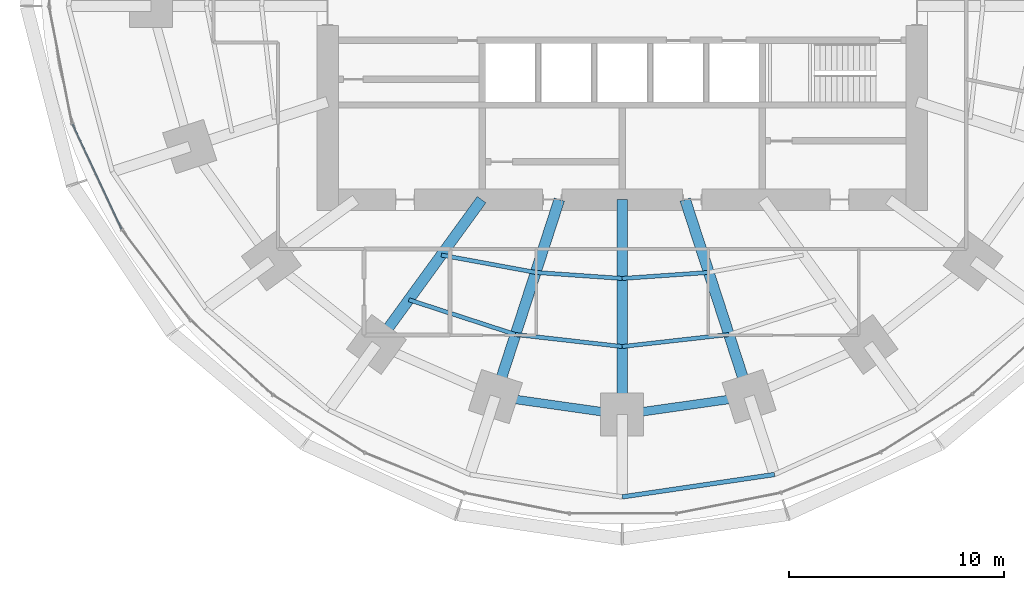
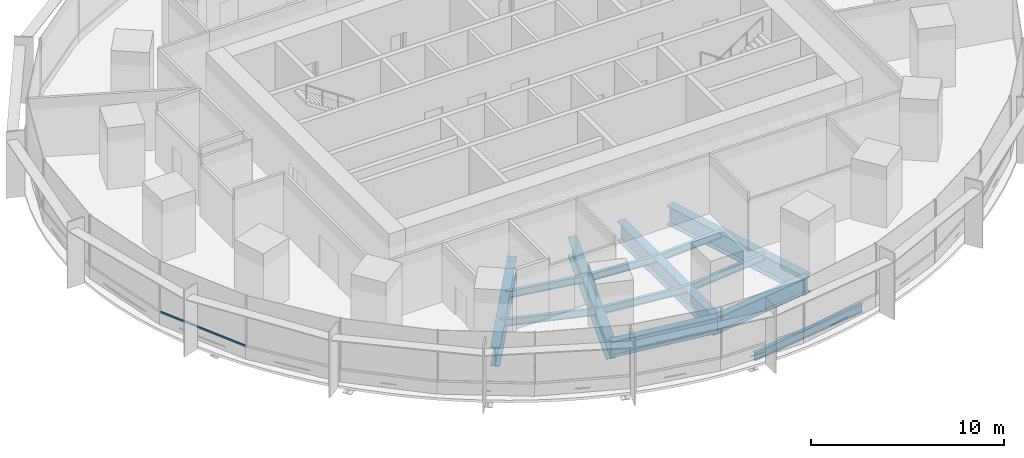
# One storey, part 3 of 15: 13 beams, 1 member, 1 element without a shape of its own.
"""IFC4 building model written with IfcOpenShell, lengths in metres."""

from ifc_helpers import new_model, si_unit, direction, frame, origin, origin_2d, place, context, subcontext, project, spatial, rectangle, i_section, extrude, material, material_profile, profile_set, type_object, element, aggregate, save


model = new_model("IFC4")

# Units and contexts
model_context = context("Model", 3, precision=1e-05, world=origin(), true_north=direction((0.0, 1.0)))
body_context = subcontext(model_context, "Body", "Model", "MODEL_VIEW")
ifc_project = project(units=[si_unit("LENGTHUNIT", "METRE"), si_unit("AREAUNIT", "SQUARE_METRE"), si_unit("VOLUMEUNIT", "CUBIC_METRE"), si_unit("PLANEANGLEUNIT", "RADIAN"), si_unit("MASSUNIT", "GRAM", prefix="KILO")], contexts=[model_context])

# Site, building, storey
site_placement = place(None, origin())
site = spatial("IfcSite", under=ifc_project, at=site_placement, CompositionType="ELEMENT")
building_placement = place(site_placement, origin())
building = spatial("IfcBuilding", under=site, at=building_placement, Name="Marramba Exchange Tower", CompositionType="ELEMENT")
storey_placement = place(building_placement, frame((0.0, 0.0, 32.199951171875)))
storey = spatial("IfcBuildingStorey", under=building, at=storey_placement, Name="L07", CompositionType="ELEMENT", Elevation=32.199951171875)

# Beams
ifc_material_1 = material(Name="Steel AS/NZS 3679.1 grade 300", Category="steel")
ifc_material_profile_1 = material_profile(ifc_material_1, i_section(OverallWidth=0.18994140625, OverallDepth=0.4541015625, WebThickness=0.008544921875, FlangeThickness=0.0126953125, FilletRadius=0.011474609375, at=origin_2d()), Name="460UB67.1")
ifc_profile_set_1 = profile_set([ifc_material_profile_1], Name="Steel AS/NZS 3679.1 grade 300")
beam_type_1 = type_object("IfcBeamType", Name="Floor joist 460UB67.1", PredefinedType="JOIST", material=ifc_profile_set_1)
beam_1_placement = place(storey_placement, frame((-8.41162109375, -11.57763671875, -0.386962890625), z_axis=(0.983455754421, -0.181148500119, 0.0), x_axis=(0.181148500119, 0.983455754421, 0.0)))
element("IfcBeam", 1, at=beam_1_placement, inside=storey, type_object=beam_type_1, Name="Joist L07 bay 14 row 1", PredefinedType="JOIST", context=body_context, shape_type="SweptSolid", body=[
    extrude(i_section(OverallWidth=0.18994140625, OverallDepth=0.4541015625, WebThickness=0.008544921875, FlangeThickness=0.0126953125, FilletRadius=0.011474609375, at=origin_2d()), origin(), (0.0, 0.0, 1.0), 4.4609375),
])
beam_2_placement = place(storey_placement, frame((-9.9208984375, -13.655029296875, -0.386962890625), z_axis=(0.950764024931, -0.309915744834, 0.0), x_axis=(0.309915744834, 0.950764024931, 0.0)))
element("IfcBeam", 2, at=beam_2_placement, inside=storey, type_object=beam_type_1, Name="Joist L07 bay 14 row 2", PredefinedType="JOIST", context=body_context, shape_type="SweptSolid", body=[
    extrude(i_section(OverallWidth=0.18994140625, OverallDepth=0.4541015625, WebThickness=0.008544921875, FlangeThickness=0.0126953125, FilletRadius=0.011474609375, at=origin_2d()), origin(), (0.0, 0.0, 1.0), 5.2158203125),
])
beam_3_placement = place(storey_placement, frame((-4.0244140625, -12.3857421875, -0.386962890625), z_axis=(0.99759625901, -0.069294328838, 0.0), x_axis=(0.069294328838, 0.99759625901, 0.0)))
element("IfcBeam", 3, at=beam_3_placement, inside=storey, type_object=beam_type_1, Name="Joist L07 bay 15 row 1", PredefinedType="JOIST", context=body_context, shape_type="SweptSolid", body=[
    extrude(i_section(OverallWidth=0.18994140625, OverallDepth=0.4541015625, WebThickness=0.008544921875, FlangeThickness=0.0126953125, FilletRadius=0.011474609375, at=origin_2d()), origin(), (0.0, 0.0, 1.0), 4.0341796875),
])
beam_4_placement = place(storey_placement, frame((-4.9619140625, -15.271484375, -0.386962890625), z_axis=(0.993712018573, -0.111966174106, 0.0), x_axis=(0.111966174106, 0.993712018573, 0.0)))
element("IfcBeam", 4, at=beam_4_placement, inside=storey, type_object=beam_type_1, Name="Joist L07 bay 15 row 2", PredefinedType="JOIST", context=body_context, shape_type="SweptSolid", body=[
    extrude(i_section(OverallWidth=0.18994140625, OverallDepth=0.4541015625, WebThickness=0.008544921875, FlangeThickness=0.0126953125, FilletRadius=0.011474609375, at=origin_2d()), origin(), (0.0, 0.0, 1.0), 4.993408203125),
])
beam_5_placement = place(storey_placement, frame((0.0, -12.665283203125, -0.386962890625), z_axis=(0.99759625901, 0.069294328838, 0.0), x_axis=(-0.069294328838, 0.99759625901, 0.0)))
element("IfcBeam", 5, at=beam_5_placement, inside=storey, type_object=beam_type_1, Name="Joist L07 bay 16 row 1", PredefinedType="JOIST", context=body_context, shape_type="SweptSolid", body=[
    extrude(i_section(OverallWidth=0.18994140625, OverallDepth=0.4541015625, WebThickness=0.008544921875, FlangeThickness=0.0126953125, FilletRadius=0.011474609375, at=origin_2d()), origin(), (0.0, 0.0, 1.0), 4.0341796875),
])
beam_6_placement = place(storey_placement, frame((0.0, -15.83056640625, -0.386962890625), z_axis=(0.993712018573, 0.111966174106, 0.0), x_axis=(-0.111966174106, 0.993712018573, 0.0)))
element("IfcBeam", 6, at=beam_6_placement, inside=storey, type_object=beam_type_1, Name="Joist L07 bay 16 row 2", PredefinedType="JOIST", context=body_context, shape_type="SweptSolid", body=[
    extrude(i_section(OverallWidth=0.18994140625, OverallDepth=0.4541015625, WebThickness=0.008544921875, FlangeThickness=0.0126953125, FilletRadius=0.011474609375, at=origin_2d()), origin(), (0.0, 0.0, 1.0), 4.993408203125),
])
ifc_material_2 = material(Name="Steel AS/NZS 3679.2 grade 300", Category="steel")
ifc_material_profile_2 = material_profile(ifc_material_2, i_section(OverallWidth=0.5, OverallDepth=1.199951171875, WebThickness=0.01611328125, FlangeThickness=0.0400390625, at=origin_2d()), Name="1200WB455")
ifc_profile_set_2 = profile_set([ifc_material_profile_2], Name="Steel AS/NZS 3679.2 grade 300")
beam_type_2 = type_object("IfcBeamType", Name="Radial girder 1200WB455", PredefinedType="BEAM", material=ifc_profile_set_2)
beam_7_placement = place(storey_placement, frame((-6.538818359375, -9.0, -0.760009765625), z_axis=(-0.587787877172, -0.809015087282, 0.0), x_axis=(0.809015087282, -0.587787877172, 0.0)))
element("IfcBeam", 7, at=beam_7_placement, inside=storey, type_object=beam_type_2, Name="Radial girder L07 TC14", PredefinedType="BEAM", context=body_context, shape_type="SweptSolid", body=[
    extrude(i_section(OverallWidth=0.5, OverallDepth=1.199951171875, WebThickness=0.01611328125, FlangeThickness=0.0400390625, at=origin_2d()), origin(), (0.0, 0.0, 1.0), 8.322021484375),
])
beam_8_placement = place(storey_placement, frame((-2.92431640625, -9.0, -0.760009765625), z_axis=(-0.309022428985, -0.951054750466, 0.0), x_axis=(0.951054750466, -0.309022428985, 0.0)))
element("IfcBeam", 8, at=beam_8_placement, inside=storey, type_object=beam_type_2, Name="Radial girder L07 TC15", PredefinedType="BEAM", context=body_context, shape_type="SweptSolid", body=[
    extrude(i_section(OverallWidth=0.5, OverallDepth=1.199951171875, WebThickness=0.01611328125, FlangeThickness=0.0400390625, at=origin_2d()), origin(), (0.0, 0.0, 1.0), 9.628173828125),
])
beam_9_placement = place(storey_placement, frame((0.0, -9.0, -0.760009765625), z_axis=(0.0, -1.0, 0.0), x_axis=(1.0, 0.0, 0.0)))
element("IfcBeam", 9, at=beam_9_placement, inside=storey, type_object=beam_type_2, Name="Radial girder L07 TC16", PredefinedType="BEAM", context=body_context, shape_type="SweptSolid", body=[
    extrude(i_section(OverallWidth=0.5, OverallDepth=1.199951171875, WebThickness=0.01611328125, FlangeThickness=0.0400390625, at=origin_2d()), origin(), (0.0, 0.0, 1.0), 9.99609375),
])
beam_10_placement = place(storey_placement, frame((2.92431640625, -9.0, -0.760009765625), z_axis=(0.309022428985, -0.951054750466, 0.0), x_axis=(0.951054750466, 0.309022428985, 0.0)))
element("IfcBeam", 10, at=beam_10_placement, inside=storey, type_object=beam_type_2, Name="Radial girder L07 TC17", PredefinedType="BEAM", context=body_context, shape_type="SweptSolid", body=[
    extrude(i_section(OverallWidth=0.5, OverallDepth=1.199951171875, WebThickness=0.01611328125, FlangeThickness=0.0400390625, at=origin_2d()), origin(), (0.0, 0.0, 1.0), 9.628173828125),
])
ifc_material_profile_3 = material_profile(ifc_material_2, i_section(OverallWidth=0.39990234375, OverallDepth=1.0, WebThickness=0.01611328125, FlangeThickness=0.031982421875, at=origin_2d()), Name="1000WB322")
ifc_profile_set_3 = profile_set([ifc_material_profile_3], Name="Steel AS/NZS 3679.2 grade 300")
beam_type_3 = type_object("IfcBeamType", Name="Ring beam 1000WB322", PredefinedType="SPANDREL", material=ifc_profile_set_3)
for number, where, z_axis, x_axis, name in (
    (11, (-5.899658203125, -18.156982421875, -0.659912109375), (0.990036163016, -0.140813337152, 0.0), (0.140813337152, 0.990036163016, 0.0), "Ring beam L07 TC15-TC16"),
    (12, (0.0, -18.99609375, -0.659912109375), (0.990036163016, 0.140813337152, 0.0), (-0.140813337152, 0.990036163016, 0.0), "Ring beam L07 TC16-TC17"),
):
    element("IfcBeam", number, at=place(storey_placement, frame(where, z_axis=z_axis, x_axis=x_axis)), inside=storey, type_object=beam_type_3, Name=name, PredefinedType="SPANDREL", context=body_context, shape_type="SweptSolid", body=[
        extrude(i_section(OverallWidth=0.39990234375, OverallDepth=1.0, WebThickness=0.01611328125, FlangeThickness=0.031982421875, at=origin_2d()), origin(), (0.0, 0.0, 1.0), 5.958984375),
    ])
ifc_material_profile_4 = material_profile(ifc_material_1, i_section(OverallWidth=0.208984375, OverallDepth=0.528076171875, WebThickness=0.009521484375, FlangeThickness=0.01318359375, FilletRadius=0.013916015625, at=origin_2d()), Name="530UB82.0")
ifc_profile_set_4 = profile_set([ifc_material_profile_4], Name="Steel AS/NZS 3679.1 grade 300")
beam_type_4 = type_object("IfcBeamType", Name="Slab edge beam 530UB82.0", PredefinedType="SPANDREL", material=ifc_profile_set_4)
beam_11_placement = place(storey_placement, frame((0.0, -22.822021484375, -0.424072265625), z_axis=(0.989338462178, 0.145634498848, 0.0), x_axis=(-0.145634498848, 0.989338462178, 0.0)))
element("IfcBeam", 13, at=beam_11_placement, inside=storey, type_object=beam_type_4, Name="Slab edge beam L07 TC16-TC17", PredefinedType="SPANDREL", context=body_context, shape_type="SweptSolid", body=[
    extrude(i_section(OverallWidth=0.208984375, OverallDepth=0.528076171875, WebThickness=0.009521484375, FlangeThickness=0.01318359375, FilletRadius=0.013916015625, at=origin_2d()), origin(), (0.0, 0.0, 1.0), 7.153076171875),
])

# Curtain wall, member
ifc_material_3 = material(Name="Aluminium framing, bronze anodised", Category="aluminium")
curtain_wall_type = type_object("IfcCurtainWallType", Name="Trading floor ribbon curtain wall", PredefinedType="USERDEFINED", material=ifc_material_3)
curtain_wall_placement = place(storey_placement, origin())
curtain_wall = element("IfcCurtainWall", 14, at=curtain_wall_placement, inside=storey, type_object=curtain_wall_type, Name="Curtain wall CW3 L07 F16-F20", ObjectType="RIBBON CURTAIN WALL", PredefinedType="USERDEFINED")
ifc_material_4 = material(Name="Aluminium transom, bronze anodised", Category="aluminium")
ifc_material_profile_5 = material_profile(ifc_material_4, rectangle(XDim=0.06005859375, YDim=0.1201171875, at=origin_2d()), Name="CW3 transom 60x120")
ifc_profile_set_5 = profile_set([ifc_material_profile_5], Name="Aluminium transom, bronze anodised")
member_type = type_object("IfcMemberType", Name="Trading floor ribbon curtain wall transom", PredefinedType="USERDEFINED", material=ifc_profile_set_5)
member_placement = place(storey_placement, frame((-25.559326171875, -5.492431640625, 0.830078125), z_axis=(0.423494101671, -0.905898860718, 0.0), x_axis=(0.905898860718, 0.423494101671, 0.0)))
member = element("IfcMember", 15, at=member_placement, type_object=member_type, Name="CW3 sill transom", ObjectType="TRANSOM", PredefinedType="USERDEFINED", context=body_context, shape_type="SweptSolid", body=[
    extrude(rectangle(XDim=0.06005859375, YDim=0.1201171875, at=origin_2d()), origin(), (0.0, 0.0, 1.0), 5.379150390625),
])
aggregate(curtain_wall, [member])

save(model, "model.ifc")
